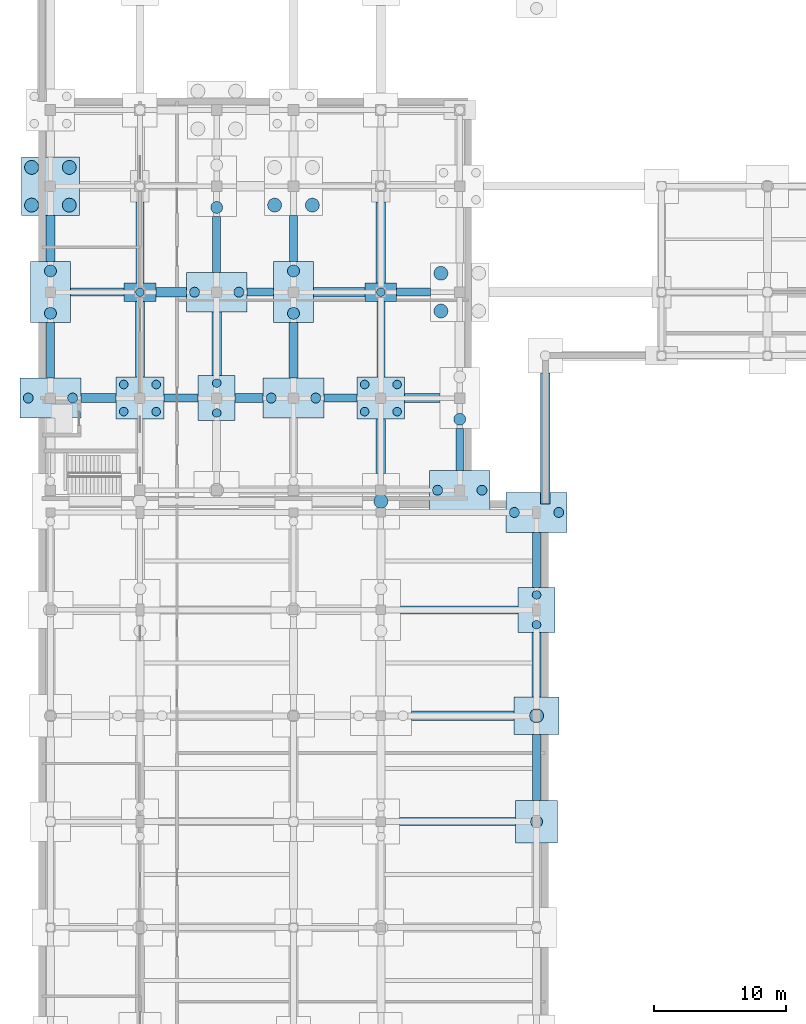
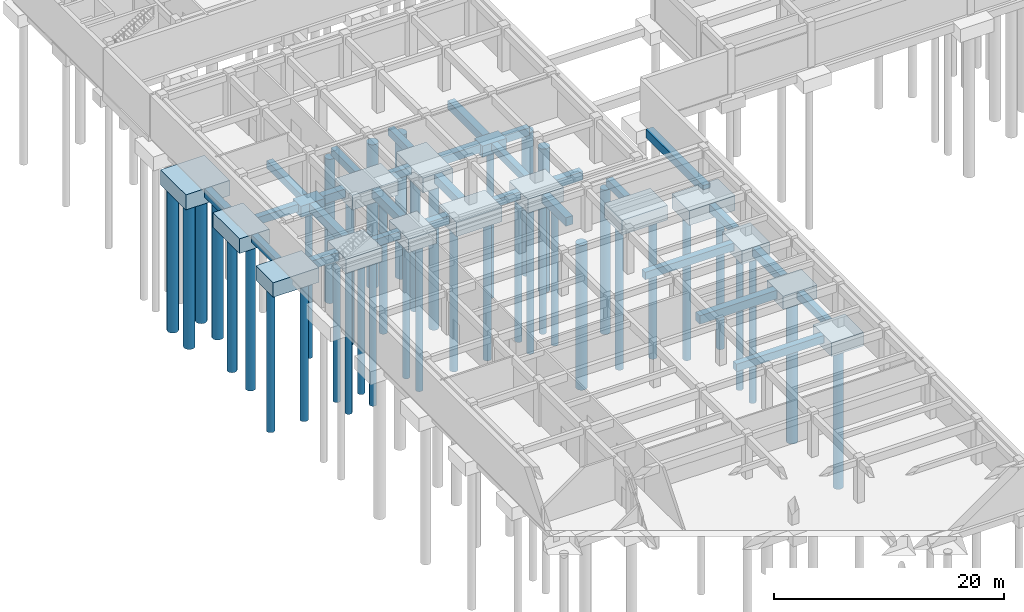
# One storey, part 3 of 35: 45 footings, 41 piles.
"""IFC4 building model written with IfcOpenShell, lengths in metres."""

from ifc_helpers import new_model, si_unit, direction, frame, origin, origin_2d, place, context, subcontext, project, spatial, polyline, rectangle, circle, outline, extrude, material, layer, layer_set, material_profile, profile_set, type_object, element, save


model = new_model("IFC4")

# Units and contexts
model_context = context("Model", 3, precision=1e-05, world=origin(), true_north=direction((0.0, 1.0)))
body_context = subcontext(model_context, "Body", "Model", "MODEL_VIEW")
ifc_project = project(units=[si_unit("LENGTHUNIT", "METRE"), si_unit("AREAUNIT", "SQUARE_METRE"), si_unit("VOLUMEUNIT", "CUBIC_METRE"), si_unit("PLANEANGLEUNIT", "RADIAN"), si_unit("MASSUNIT", "GRAM", prefix="KILO")], contexts=[model_context])

# Site, building, storey
site_placement = place(None, origin())
site = spatial("IfcSite", under=ifc_project, at=site_placement, CompositionType="ELEMENT")
building_placement = place(site_placement, origin())
building = spatial("IfcBuilding", under=site, at=building_placement, Name="Cinchona Park Media Centre", CompositionType="ELEMENT")
storey_placement = place(building_placement, frame((0.0, 0.0, -4.800048828125)))
storey = spatial("IfcBuildingStorey", under=building, at=storey_placement, Name="B1", CompositionType="ELEMENT", Elevation=-4.800048828125)

# Footings
ifc_material_1 = material(Name="Concrete C40/50", Category="concrete")
ifc_layer_1 = layer(ifc_material_1, 0.800048828125)
ifc_layer_set_1 = layer_set([ifc_layer_1], Name="Concrete C40/50")
footing_type_1 = type_object("IfcFootingType", Name="FTG-BEAM-FB01", PredefinedType="FOOTING_BEAM", material=ifc_layer_set_1)
footing_1_placement = place(storey_placement, frame((0.0, 0.0, -1.25)))
element("IfcFooting", 1, at=footing_1_placement, inside=storey, type_object=footing_type_1, Name="Ground Tie Beam FB01", PredefinedType="FOOTING_BEAM", context=body_context, shape_type="SweptSolid", body=[
    extrude(outline(polyline([(35.0, 39.300048828125), (43.760009765625, 39.300048828125), (43.760009765625, 39.89990234375), (35.0, 39.89990234375), (35.0, 39.300048828125)])), origin(), (0.0, 0.0, 1.0), 0.800048828125),
])
footing_2_placement = place(storey_placement, frame((0.0, 0.0, -1.25)))
element("IfcFooting", 2, at=footing_2_placement, inside=storey, type_object=footing_type_1, Name="Ground Tie Beam FB01", PredefinedType="FOOTING_BEAM", context=body_context, shape_type="SweptSolid", body=[
    extrude(outline(polyline([(35.10009765625, 55.300048828125), (43.9599609375, 55.300048828125), (43.9599609375, 55.89990234375), (35.10009765625, 55.89990234375), (35.10009765625, 55.300048828125)])), origin(), (0.0, 0.0, 1.0), 0.800048828125),
])
footing_3_placement = place(storey_placement, frame((0.0, 0.0, -1.25)))
element("IfcFooting", 3, at=footing_3_placement, inside=storey, type_object=footing_type_1, Name="Ground Tie Beam FB01", PredefinedType="FOOTING_BEAM", context=body_context, shape_type="SweptSolid", body=[
    extrude(outline(polyline([(17.199951171875, 71.300048828125), (19.800048828125, 71.300048828125), (19.800048828125, 71.89990234375), (17.199951171875, 71.89990234375), (17.199951171875, 71.300048828125)])), origin(), (0.0, 0.0, 1.0), 0.800048828125),
])
footing_4_placement = place(storey_placement, frame((0.0, 0.0, -1.25)))
element("IfcFooting", 4, at=footing_4_placement, inside=storey, type_object=footing_type_1, Name="Ground Tie Beam FB01", PredefinedType="FOOTING_BEAM", context=body_context, shape_type="SweptSolid", body=[
    extrude(outline(polyline([(29.300048828125, 71.300048828125), (31.800048828125, 71.300048828125), (31.800048828125, 71.89990234375), (29.300048828125, 71.89990234375), (29.300048828125, 71.300048828125)])), origin(), (0.0, 0.0, 1.0), 0.800048828125),
])
footing_5_placement = place(storey_placement, frame((0.0, 0.0, -1.25)))
element("IfcFooting", 5, at=footing_5_placement, inside=storey, type_object=footing_type_1, Name="Ground Tie Beam FB01", PredefinedType="FOOTING_BEAM", context=body_context, shape_type="SweptSolid", body=[
    extrude(outline(polyline([(10.139892578125, 79.300048828125), (14.199951171875, 79.300048828125), (14.199951171875, 79.89990234375), (10.139892578125, 79.89990234375), (10.139892578125, 79.300048828125)])), origin(), (0.0, 0.0, 1.0), 0.800048828125),
])
footing_6_placement = place(storey_placement, frame((0.0, 0.0, -1.25)))
element("IfcFooting", 6, at=footing_6_placement, inside=storey, type_object=footing_type_1, Name="Ground Tie Beam FB01", PredefinedType="FOOTING_BEAM", context=body_context, shape_type="SweptSolid", body=[
    extrude(outline(polyline([(23.5, 79.300048828125), (25.5, 79.300048828125), (25.5, 79.89990234375), (23.5, 79.89990234375), (23.5, 79.300048828125)])), origin(), (0.0, 0.0, 1.0), 0.800048828125),
])
footing_7_placement = place(storey_placement, frame((0.0, 0.0, -1.25)))
element("IfcFooting", 7, at=footing_7_placement, inside=storey, type_object=footing_type_1, Name="Ground Tie Beam FB01", PredefinedType="FOOTING_BEAM", context=body_context, shape_type="SweptSolid", body=[
    extrude(outline(polyline([(34.800048828125, 79.300048828125), (37.360107421875, 79.300048828125), (37.360107421875, 79.89990234375), (34.800048828125, 79.89990234375), (34.800048828125, 79.300048828125)])), origin(), (0.0, 0.0, 1.0), 0.800048828125),
])
footing_8_placement = place(storey_placement, frame((0.0, 0.0, -1.25)))
element("IfcFooting", 8, at=footing_8_placement, inside=storey, type_object=footing_type_1, Name="Ground Tie Beam FB01", PredefinedType="FOOTING_BEAM", context=body_context, shape_type="SweptSolid", body=[
    extrude(outline(polyline([(8.340087890625, 73.10009765625), (8.93994140625, 73.10009765625), (8.93994140625, 77.300048828125), (8.340087890625, 77.300048828125), (8.340087890625, 73.10009765625)])), origin(), (0.0, 0.0, 1.0), 0.800048828125),
])
footing_9_placement = place(storey_placement, frame((0.0, 0.0, -1.25)))
element("IfcFooting", 9, at=footing_9_placement, inside=storey, type_object=footing_type_1, Name="Ground Tie Beam FB01", PredefinedType="FOOTING_BEAM", context=body_context, shape_type="SweptSolid", body=[
    extrude(outline(polyline([(15.10009765625, 80.300048828125), (15.699951171875, 80.300048828125), (15.699951171875, 86.39990234375), (15.10009765625, 86.39990234375), (15.10009765625, 80.300048828125)])), origin(), (0.0, 0.0, 1.0), 0.800048828125),
])
footing_10_placement = place(storey_placement, frame((0.0, 0.0, -1.25)))
element("IfcFooting", 10, at=footing_10_placement, inside=storey, type_object=footing_type_1, Name="Ground Tie Beam FB01", PredefinedType="FOOTING_BEAM", context=body_context, shape_type="SweptSolid", body=[
    extrude(outline(polyline([(20.89990234375, 81.10009765625), (21.5, 81.10009765625), (21.5, 85.300048828125), (20.89990234375, 85.300048828125), (20.89990234375, 81.10009765625)])), origin(), (0.0, 0.0, 1.0), 0.800048828125),
])
footing_11_placement = place(storey_placement, frame((0.0, 0.0, -1.25)))
element("IfcFooting", 11, at=footing_11_placement, inside=storey, type_object=footing_type_1, Name="Ground Tie Beam FB01", PredefinedType="FOOTING_BEAM", context=body_context, shape_type="SweptSolid", body=[
    extrude(outline(polyline([(26.699951171875, 81.89990234375), (27.300048828125, 81.89990234375), (27.300048828125, 85.39990234375), (26.699951171875, 85.39990234375), (26.699951171875, 81.89990234375)])), origin(), (0.0, 0.0, 1.0), 0.800048828125),
])
footing_12_placement = place(storey_placement, frame((0.0, 0.0, -1.25)))
element("IfcFooting", 12, at=footing_12_placement, inside=storey, type_object=footing_type_1, Name="Ground Tie Beam FB01", PredefinedType="FOOTING_BEAM", context=body_context, shape_type="SweptSolid", body=[
    extrude(outline(polyline([(33.300048828125, 73.199951171875), (33.89990234375, 73.199951171875), (33.89990234375, 78.89990234375), (33.300048828125, 78.89990234375), (33.300048828125, 73.199951171875)])), origin(), (0.0, 0.0, 1.0), 0.800048828125),
])
footing_13_placement = place(storey_placement, frame((0.0, 0.0, -1.25)))
element("IfcFooting", 13, at=footing_13_placement, inside=storey, type_object=footing_type_1, Name="Ground Tie Beam FB01", PredefinedType="FOOTING_BEAM", context=body_context, shape_type="SweptSolid", body=[
    extrude(outline(polyline([(39.260009765625, 66.139892578125), (39.860107421875, 66.139892578125), (39.860107421875, 69.300048828125), (39.260009765625, 69.300048828125), (39.260009765625, 66.139892578125)])), origin(), (0.0, 0.0, 1.0), 0.800048828125),
])
footing_14_placement = place(storey_placement, frame((0.0, 0.0, -1.25)))
element("IfcFooting", 14, at=footing_14_placement, inside=storey, type_object=footing_type_1, Name="Ground Tie Beam FB01", PredefinedType="FOOTING_BEAM", context=body_context, shape_type="SweptSolid", body=[
    extrude(outline(polyline([(45.06005859375, 41.199951171875), (45.659912109375, 41.199951171875), (45.659912109375, 46.199951171875), (45.06005859375, 46.199951171875), (45.06005859375, 41.199951171875)])), origin(), (0.0, 0.0, 1.0), 0.800048828125),
])
footing_15_placement = place(storey_placement, frame((0.0, 0.0, -1.25)))
element("IfcFooting", 15, at=footing_15_placement, inside=storey, type_object=footing_type_1, Name="Ground Tie Beam FB01", PredefinedType="FOOTING_BEAM", context=body_context, shape_type="SweptSolid", body=[
    extrude(outline(polyline([(45.06005859375, 57.300048828125), (45.659912109375, 57.300048828125), (45.659912109375, 61.4599609375), (45.06005859375, 61.4599609375), (45.06005859375, 57.300048828125)])), origin(), (0.0, 0.0, 1.0), 0.800048828125),
])
ifc_material_2 = material(Name="Concrete C40/50", Category="concrete")
ifc_layer_2 = layer(ifc_material_2, 0.89990234375)
ifc_layer_set_2 = layer_set([ifc_layer_2], Name="Concrete C40/50")
footing_type_2 = type_object("IfcFootingType", Name="FTG-BEAM-FB02", PredefinedType="FOOTING_BEAM", material=ifc_layer_set_2)
footing_16_placement = place(storey_placement, frame((0.0, 0.0, -1.349853515625)))
element("IfcFooting", 16, at=footing_16_placement, inside=storey, type_object=footing_type_2, Name="Ground Tie Beam FB02", PredefinedType="FOOTING_BEAM", context=body_context, shape_type="SweptSolid", body=[
    extrude(outline(polyline([(35.89990234375, 47.25), (43.659912109375, 47.25), (43.659912109375, 47.949951171875), (35.89990234375, 47.949951171875), (35.89990234375, 47.25)])), origin(), (0.0, 0.0, 1.0), 0.89990234375),
])
footing_17_placement = place(storey_placement, frame((0.0, 0.0, -1.349853515625)))
element("IfcFooting", 17, at=footing_17_placement, inside=storey, type_object=footing_type_2, Name="Ground Tie Beam FB02", PredefinedType="FOOTING_BEAM", context=body_context, shape_type="SweptSolid", body=[
    extrude(outline(polyline([(10.93994140625, 71.25), (13.60009765625, 71.25), (13.60009765625, 71.949951171875), (10.93994140625, 71.949951171875), (10.93994140625, 71.25)])), origin(), (0.0, 0.0, 1.0), 0.89990234375),
])
footing_18_placement = place(storey_placement, frame((0.0, 0.0, -1.349853515625)))
element("IfcFooting", 18, at=footing_18_placement, inside=storey, type_object=footing_type_2, Name="Ground Tie Beam FB02", PredefinedType="FOOTING_BEAM", context=body_context, shape_type="SweptSolid", body=[
    extrude(outline(polyline([(22.60009765625, 71.25), (24.699951171875, 71.25), (24.699951171875, 71.949951171875), (22.60009765625, 71.949951171875), (22.60009765625, 71.25)])), origin(), (0.0, 0.0, 1.0), 0.89990234375),
])
footing_19_placement = place(storey_placement, frame((0.0, 0.0, -1.349853515625)))
element("IfcFooting", 19, at=footing_19_placement, inside=storey, type_object=footing_type_2, Name="Ground Tie Beam FB02", PredefinedType="FOOTING_BEAM", context=body_context, shape_type="SweptSolid", body=[
    extrude(outline(polyline([(35.39990234375, 71.25), (38.06005859375, 71.25), (38.06005859375, 71.949951171875), (35.39990234375, 71.949951171875), (35.39990234375, 71.25)])), origin(), (0.0, 0.0, 1.0), 0.89990234375),
])
footing_20_placement = place(storey_placement, frame((0.0, 0.0, -1.349853515625)))
element("IfcFooting", 20, at=footing_20_placement, inside=storey, type_object=footing_type_2, Name="Ground Tie Beam FB02", PredefinedType="FOOTING_BEAM", context=body_context, shape_type="SweptSolid", body=[
    extrude(outline(polyline([(16.60009765625, 79.25), (18.89990234375, 79.25), (18.89990234375, 79.949951171875), (16.60009765625, 79.949951171875), (16.60009765625, 79.25)])), origin(), (0.0, 0.0, 1.0), 0.89990234375),
])
footing_21_placement = place(storey_placement, frame((0.0, 0.0, -1.349853515625)))
element("IfcFooting", 21, at=footing_21_placement, inside=storey, type_object=footing_type_2, Name="Ground Tie Beam FB02", PredefinedType="FOOTING_BEAM", context=body_context, shape_type="SweptSolid", body=[
    extrude(outline(polyline([(28.5, 79.25), (32.39990234375, 79.25), (32.39990234375, 79.949951171875), (28.5, 79.949951171875), (28.5, 79.25)])), origin(), (0.0, 0.0, 1.0), 0.89990234375),
])
footing_22_placement = place(storey_placement, frame((0.0, 0.0, -1.349853515625)))
element("IfcFooting", 22, at=footing_22_placement, inside=storey, type_object=footing_type_2, Name="Ground Tie Beam FB02", PredefinedType="FOOTING_BEAM", context=body_context, shape_type="SweptSolid", body=[
    extrude(outline(polyline([(8.2900390625, 81.89990234375), (8.989990234375, 81.89990234375), (8.989990234375, 85.39990234375), (8.2900390625, 85.39990234375), (8.2900390625, 81.89990234375)])), origin(), (0.0, 0.0, 1.0), 0.89990234375),
])
footing_23_placement = place(storey_placement, frame((0.0, 0.0, -1.349853515625)))
element("IfcFooting", 23, at=footing_23_placement, inside=storey, type_object=footing_type_2, Name="Ground Tie Beam FB02", PredefinedType="FOOTING_BEAM", context=body_context, shape_type="SweptSolid", body=[
    extrude(outline(polyline([(15.050048828125, 73.199951171875), (15.75, 73.199951171875), (15.75, 78.89990234375), (15.050048828125, 78.89990234375), (15.050048828125, 73.199951171875)])), origin(), (0.0, 0.0, 1.0), 0.89990234375),
])
footing_24_placement = place(storey_placement, frame((0.0, 0.0, -1.349853515625)))
element("IfcFooting", 24, at=footing_24_placement, inside=storey, type_object=footing_type_2, Name="Ground Tie Beam FB02", PredefinedType="FOOTING_BEAM", context=body_context, shape_type="SweptSolid", body=[
    extrude(outline(polyline([(20.85009765625, 73.300048828125), (21.550048828125, 73.300048828125), (21.550048828125, 78.10009765625), (20.85009765625, 78.10009765625), (20.85009765625, 73.300048828125)])), origin(), (0.0, 0.0, 1.0), 0.89990234375),
])
footing_25_placement = place(storey_placement, frame((0.0, 0.0, -1.349853515625)))
element("IfcFooting", 25, at=footing_25_placement, inside=storey, type_object=footing_type_2, Name="Ground Tie Beam FB02", PredefinedType="FOOTING_BEAM", context=body_context, shape_type="SweptSolid", body=[
    extrude(outline(polyline([(26.64990234375, 73.10009765625), (27.35009765625, 73.10009765625), (27.35009765625, 77.300048828125), (26.64990234375, 77.300048828125), (26.64990234375, 73.10009765625)])), origin(), (0.0, 0.0, 1.0), 0.89990234375),
])
footing_26_placement = place(storey_placement, frame((0.0, 0.0, -1.349853515625)))
element("IfcFooting", 26, at=footing_26_placement, inside=storey, type_object=footing_type_2, Name="Ground Tie Beam FB02", PredefinedType="FOOTING_BEAM", context=body_context, shape_type="SweptSolid", body=[
    extrude(outline(polyline([(33.25, 65.89990234375), (33.949951171875, 65.89990234375), (33.949951171875, 70.0), (33.25, 70.0), (33.25, 65.89990234375)])), origin(), (0.0, 0.0, 1.0), 0.89990234375),
])
footing_27_placement = place(storey_placement, frame((0.0, 0.0, -1.349853515625)))
element("IfcFooting", 27, at=footing_27_placement, inside=storey, type_object=footing_type_2, Name="Ground Tie Beam FB02", PredefinedType="FOOTING_BEAM", context=body_context, shape_type="SweptSolid", body=[
    extrude(outline(polyline([(33.25, 80.300048828125), (33.949951171875, 80.300048828125), (33.949951171875, 86.39990234375), (33.25, 86.39990234375), (33.25, 80.300048828125)])), origin(), (0.0, 0.0, 1.0), 0.89990234375),
])
footing_28_placement = place(storey_placement, frame((0.0, 0.0, -1.349853515625)))
element("IfcFooting", 28, at=footing_28_placement, inside=storey, type_object=footing_type_2, Name="Ground Tie Beam FB02", PredefinedType="FOOTING_BEAM", context=body_context, shape_type="SweptSolid", body=[
    extrude(outline(polyline([(45.010009765625, 49.0), (45.7099609375, 49.0), (45.7099609375, 53.89990234375), (45.010009765625, 53.89990234375), (45.010009765625, 49.0)])), origin(), (0.0, 0.0, 1.0), 0.89990234375),
])
footing_29_placement = place(storey_placement, frame((0.0, 0.0, -0.89990234375)))
element("IfcFooting", 29, at=footing_29_placement, inside=storey, type_object=footing_type_2, Name="Ground Tie Beam FB02", PredefinedType="FOOTING_BEAM", context=body_context, shape_type="SweptSolid", body=[
    extrude(outline(polyline([(45.669921875, 63.610107421875), (46.3701171875, 63.610107421875), (46.3701171875, 73.5), (45.669921875, 73.5), (45.669921875, 63.610107421875)])), origin(), (0.0, 0.0, 1.0), 0.89990234375),
])

# Piles
ifc_material_3 = material(Name="Concrete C40/50", Category="concrete")
ifc_material_profile_1 = material_profile(ifc_material_3, circle(Radius=0.52490234375, at=origin_2d()), Name="BORED PILE 1050")
ifc_profile_set_1 = profile_set([ifc_material_profile_1], Name="Concrete C40/50")
pile_type_1 = type_object("IfcPileType", Name="PILE-BP1050", PredefinedType="BORED", material=ifc_profile_set_1)
for number, where, z_axis, x_axis, name in (
    (30, (7.215087890625, 86.175048828125, -1.949951171875), (0.0, 0.0, -1.0), (1.0, 0.0, 0.0), "Bored Pile P1050"),
    (31, (7.215087890625, 89.02490234375, -1.949951171875), (0.0, 0.0, -1.0), (1.0, 0.0, 0.0), "Bored Pile P1050"),
    (32, (10.06494140625, 86.175048828125, -1.949951171875), (0.0, 0.0, -1.0), (1.0, 0.0, 0.0), "Bored Pile P1050"),
    (33, (10.06494140625, 89.02490234375, -1.949951171875), (0.0, 0.0, -1.0), (1.0, 0.0, 0.0), "Bored Pile P1050"),
    (34, (25.574951171875, 86.175048828125, -1.949951171875), (0.0, 0.0, -1.0), (1.0, 0.0, 0.0), "Bored Pile P1050"),
    (35, (28.425048828125, 86.175048828125, -1.949951171875), (0.0, 0.0, -1.0), (1.0, 0.0, 0.0), "Bored Pile P1050"),
):
    element("IfcPile", number, at=place(storey_placement, frame(where, z_axis=z_axis, x_axis=x_axis)), inside=storey, type_object=pile_type_1, Name=name, PredefinedType="BORED", context=body_context, shape_type="SweptSolid", body=[
        extrude(circle(Radius=0.52490234375, at=origin_2d()), origin(), (0.0, 0.0, 1.0), 15.25),
    ])
pile_1_placement = place(storey_placement, frame((33.60009765625, 63.800048828125, -1.849853515625), z_axis=(0.0, 0.0, -1.0), x_axis=(1.0, 0.0, 0.0)))
element("IfcPile", 36, at=pile_1_placement, inside=storey, type_object=pile_type_1, Name="Bored Pile P1050", PredefinedType="BORED", context=body_context, shape_type="SweptSolid", body=[
    extrude(circle(Radius=0.52490234375, at=origin_2d()), origin(), (0.0, 0.0, 1.0), 15.35009765625),
])
for number, where, z_axis, x_axis, name in (
    (37, (38.135009765625, 78.175048828125, -1.949951171875), (0.0, 0.0, -1.0), (1.0, 0.0, 0.0), "Bored Pile P1050"),
    (38, (38.135009765625, 81.02490234375, -1.949951171875), (0.0, 0.0, -1.0), (1.0, 0.0, 0.0), "Bored Pile P1050"),
):
    element("IfcPile", number, at=place(storey_placement, frame(where, z_axis=z_axis, x_axis=x_axis)), inside=storey, type_object=pile_type_1, Name=name, PredefinedType="BORED", context=body_context, shape_type="SweptSolid", body=[
        extrude(circle(Radius=0.52490234375, at=origin_2d()), origin(), (0.0, 0.0, 1.0), 15.25),
    ])
pile_2_placement = place(storey_placement, frame((45.360107421875, 47.60009765625, -1.75), z_axis=(0.0, 0.0, -1.0), x_axis=(1.0, 0.0, 0.0)))
element("IfcPile", 39, at=pile_2_placement, inside=storey, type_object=pile_type_1, Name="Bored Pile P1050", PredefinedType="BORED", context=body_context, shape_type="SweptSolid", body=[
    extrude(circle(Radius=0.52490234375, at=origin_2d()), origin(), (0.0, 0.0, 1.0), 15.449951171875),
])
ifc_material_4 = material(Name="Concrete C40/50", Category="concrete")
ifc_material_profile_2 = material_profile(ifc_material_4, circle(Radius=0.324951171875, at=origin_2d()), Name="BORED PILE 650")
ifc_profile_set_2 = profile_set([ifc_material_profile_2], Name="Concrete C40/50")
pile_type_2 = type_object("IfcPileType", Name="PILE-BP650", PredefinedType="BORED", material=ifc_profile_set_2)
for number, where, z_axis, x_axis, name in (
    (40, (14.175048828125, 70.574951171875, -1.829833984375), (0.0, 0.0, -1.0), (1.0, 0.0, 0.0), "Bored Pile P650"),
    (41, (14.175048828125, 72.625, -1.829833984375), (0.0, 0.0, -1.0), (1.0, 0.0, 0.0), "Bored Pile P650"),
    (42, (16.625, 70.574951171875, -1.829833984375), (0.0, 0.0, -1.0), (1.0, 0.0, 0.0), "Bored Pile P650"),
    (43, (16.625, 72.625, -1.829833984375), (0.0, 0.0, -1.0), (1.0, 0.0, 0.0), "Bored Pile P650"),
):
    element("IfcPile", number, at=place(storey_placement, frame(where, z_axis=z_axis, x_axis=x_axis)), inside=storey, type_object=pile_type_2, Name=name, PredefinedType="BORED", context=body_context, shape_type="SweptSolid", body=[
        extrude(circle(Radius=0.324951171875, at=origin_2d()), origin(), (0.0, 0.0, 1.0), 15.3701171875),
    ])
pile_3_placement = place(storey_placement, frame((15.39990234375, 79.60009765625, -1.550048828125), z_axis=(0.0, 0.0, -1.0), x_axis=(1.0, 0.0, 0.0)))
element("IfcPile", 44, at=pile_3_placement, inside=storey, type_object=pile_type_2, Name="Bored Pile P650", PredefinedType="BORED", context=body_context, shape_type="SweptSolid", body=[
    extrude(circle(Radius=0.324951171875, at=origin_2d()), origin(), (0.0, 0.0, 1.0), 15.64990234375),
])
for number, where, z_axis, x_axis, name in (
    (45, (21.199951171875, 70.47509765625, -1.75), (0.0, 0.0, -1.0), (1.0, 0.0, 0.0), "Bored Pile P650"),
    (46, (21.199951171875, 72.72509765625, -1.75), (0.0, 0.0, -1.0), (1.0, 0.0, 0.0), "Bored Pile P650"),
):
    element("IfcPile", number, at=place(storey_placement, frame(where, z_axis=z_axis, x_axis=x_axis)), inside=storey, type_object=pile_type_2, Name=name, PredefinedType="BORED", context=body_context, shape_type="SweptSolid", body=[
        extrude(circle(Radius=0.324951171875, at=origin_2d()), origin(), (0.0, 0.0, 1.0), 15.449951171875),
    ])
for number, where, z_axis, x_axis, name in (
    (47, (32.375, 70.574951171875, -1.829833984375), (0.0, 0.0, -1.0), (1.0, 0.0, 0.0), "Bored Pile P650"),
    (48, (32.375, 72.625, -1.829833984375), (0.0, 0.0, -1.0), (1.0, 0.0, 0.0), "Bored Pile P650"),
    (49, (34.824951171875, 70.574951171875, -1.829833984375), (0.0, 0.0, -1.0), (1.0, 0.0, 0.0), "Bored Pile P650"),
    (50, (34.824951171875, 72.625, -1.829833984375), (0.0, 0.0, -1.0), (1.0, 0.0, 0.0), "Bored Pile P650"),
):
    element("IfcPile", number, at=place(storey_placement, frame(where, z_axis=z_axis, x_axis=x_axis)), inside=storey, type_object=pile_type_2, Name=name, PredefinedType="BORED", context=body_context, shape_type="SweptSolid", body=[
        extrude(circle(Radius=0.324951171875, at=origin_2d()), origin(), (0.0, 0.0, 1.0), 15.3701171875),
    ])
pile_4_placement = place(storey_placement, frame((33.60009765625, 79.60009765625, -1.550048828125), z_axis=(0.0, 0.0, -1.0), x_axis=(1.0, 0.0, 0.0)))
element("IfcPile", 51, at=pile_4_placement, inside=storey, type_object=pile_type_2, Name="Bored Pile P650", PredefinedType="BORED", context=body_context, shape_type="SweptSolid", body=[
    extrude(circle(Radius=0.324951171875, at=origin_2d()), origin(), (0.0, 0.0, 1.0), 15.64990234375),
])
for number, where, z_axis, x_axis, name in (
    (52, (45.360107421875, 54.47509765625, -1.75), (0.0, 0.0, -1.0), (1.0, 0.0, 0.0), "Bored Pile P650"),
    (53, (45.360107421875, 56.72509765625, -1.75), (0.0, 0.0, -1.0), (1.0, 0.0, 0.0), "Bored Pile P650"),
):
    element("IfcPile", number, at=place(storey_placement, frame(where, z_axis=z_axis, x_axis=x_axis)), inside=storey, type_object=pile_type_2, Name=name, PredefinedType="BORED", context=body_context, shape_type="SweptSolid", body=[
        extrude(circle(Radius=0.324951171875, at=origin_2d()), origin(), (0.0, 0.0, 1.0), 15.449951171875),
    ])
ifc_material_5 = material(Name="Concrete C40/50", Category="concrete")
ifc_material_profile_3 = material_profile(ifc_material_5, circle(Radius=0.375, at=origin_2d()), Name="BORED PILE 750")
ifc_profile_set_3 = profile_set([ifc_material_profile_3], Name="Concrete C40/50")
pile_type_3 = type_object("IfcPileType", Name="PILE-BP750", PredefinedType="BORED", material=ifc_profile_set_3)
for number, where, z_axis, x_axis, name in (
    (54, (6.965087890625, 71.60009765625, -1.89990234375), (0.0, 0.0, -1.0), (1.0, 0.0, 0.0), "Bored Pile P750"),
    (55, (10.31494140625, 71.60009765625, -1.89990234375), (0.0, 0.0, -1.0), (1.0, 0.0, 0.0), "Bored Pile P750"),
    (56, (19.52490234375, 79.60009765625, -1.89990234375), (0.0, 0.0, -1.0), (1.0, 0.0, 0.0), "Bored Pile P750"),
    (57, (22.875, 79.60009765625, -1.89990234375), (0.0, 0.0, -1.0), (1.0, 0.0, 0.0), "Bored Pile P750"),
    (58, (25.324951171875, 71.60009765625, -1.89990234375), (0.0, 0.0, -1.0), (1.0, 0.0, 0.0), "Bored Pile P750"),
    (59, (28.675048828125, 71.60009765625, -1.89990234375), (0.0, 0.0, -1.0), (1.0, 0.0, 0.0), "Bored Pile P750"),
    (60, (37.885009765625, 64.639892578125, -1.89990234375), (0.0, 0.0, -1.0), (1.0, 0.0, 0.0), "Bored Pile P750"),
    (61, (41.235107421875, 64.639892578125, -1.89990234375), (0.0, 0.0, -1.0), (1.0, 0.0, 0.0), "Bored Pile P750"),
    (62, (43.68505859375, 62.9599609375, -1.89990234375), (0.0, 0.0, -1.0), (1.0, 0.0, 0.0), "Bored Pile P750"),
    (63, (47.034912109375, 62.9599609375, -1.89990234375), (0.0, 0.0, -1.0), (1.0, 0.0, 0.0), "Bored Pile P750"),
):
    element("IfcPile", number, at=place(storey_placement, frame(where, z_axis=z_axis, x_axis=x_axis)), inside=storey, type_object=pile_type_3, Name=name, PredefinedType="BORED", context=body_context, shape_type="SweptSolid", body=[
        extrude(circle(Radius=0.375, at=origin_2d()), origin(), (0.0, 0.0, 1.0), 15.300048828125),
    ])
ifc_material_6 = material(Name="Concrete C40/50", Category="concrete")
ifc_material_profile_4 = material_profile(ifc_material_6, circle(Radius=0.449951171875, at=origin_2d()), Name="BORED PILE 900")
ifc_profile_set_4 = profile_set([ifc_material_profile_4], Name="Concrete C40/50")
pile_type_4 = type_object("IfcPileType", Name="PILE-BP900", PredefinedType="BORED", material=ifc_profile_set_4)
for number, where, z_axis, x_axis, name in (
    (64, (8.639892578125, 78.0, -1.89990234375), (0.0, 0.0, -1.0), (1.0, 0.0, 0.0), "Bored Pile P900"),
    (65, (8.639892578125, 81.199951171875, -1.89990234375), (0.0, 0.0, -1.0), (1.0, 0.0, 0.0), "Bored Pile P900"),
    (66, (21.199951171875, 86.0, -1.89990234375), (0.0, 0.0, -1.0), (1.0, 0.0, 0.0), "Bored Pile P900"),
    (67, (27.0, 78.0, -1.89990234375), (0.0, 0.0, -1.0), (1.0, 0.0, 0.0), "Bored Pile P900"),
    (68, (27.0, 81.199951171875, -1.89990234375), (0.0, 0.0, -1.0), (1.0, 0.0, 0.0), "Bored Pile P900"),
    (69, (39.56005859375, 70.0, -1.89990234375), (0.0, 0.0, -1.0), (1.0, 0.0, 0.0), "Bored Pile P900"),
):
    element("IfcPile", number, at=place(storey_placement, frame(where, z_axis=z_axis, x_axis=x_axis)), inside=storey, type_object=pile_type_4, Name=name, PredefinedType="BORED", context=body_context, shape_type="SweptSolid", body=[
        extrude(circle(Radius=0.449951171875, at=origin_2d()), origin(), (0.0, 0.0, 1.0), 15.300048828125),
    ])
pile_5_placement = place(storey_placement, frame((45.360107421875, 39.60009765625, -1.800048828125), z_axis=(0.0, 0.0, -1.0), x_axis=(1.0, 0.0, 0.0)))
element("IfcPile", 70, at=pile_5_placement, inside=storey, type_object=pile_type_4, Name="Bored Pile P900", PredefinedType="BORED", context=body_context, shape_type="SweptSolid", body=[
    extrude(circle(Radius=0.449951171875, at=origin_2d()), origin(), (0.0, 0.0, 1.0), 15.39990234375),
])

# Footings
ifc_material_7 = material(Name="Concrete C40/50", Category="concrete")
ifc_layer_3 = layer(ifc_material_7, 1.199951171875)
ifc_layer_set_3 = layer_set([ifc_layer_3], Name="Concrete C40/50")
footing_type_3 = type_object("IfcFootingType", Name="PILE-CAP-PC01", PredefinedType="PILE_CAP", material=ifc_layer_set_3)
for number, where, z_axis, x_axis, name in (
    (71, (15.39990234375, 79.60009765625, -1.64990234375), (0.0, 0.0, 1.0), (1.0, 0.0, 0.0), "Pile Cap PC01"),
    (72, (33.60009765625, 79.60009765625, -1.64990234375), (0.0, 0.0, 1.0), (1.0, 0.0, 0.0), "Pile Cap PC01"),
):
    element("IfcFooting", number, at=place(storey_placement, frame(where, z_axis=z_axis, x_axis=x_axis)), inside=storey, type_object=footing_type_3, Name=name, PredefinedType="PILE_CAP", context=body_context, shape_type="SweptSolid", body=[
        extrude(rectangle(XDim=2.39990234375, YDim=1.39990234375, at=origin_2d()), origin(), (0.0, 0.0, 1.0), 1.199951171875),
    ])
ifc_material_8 = material(Name="Concrete C40/50", Category="concrete")
ifc_layer_4 = layer(ifc_material_8, 1.449951171875)
ifc_layer_set_4 = layer_set([ifc_layer_4], Name="Concrete C40/50")
footing_type_4 = type_object("IfcFootingType", Name="PILE-CAP-PC06", PredefinedType="PILE_CAP", material=ifc_layer_set_4)
footing_30_placement = place(storey_placement, frame((45.360107421875, 39.60009765625, -1.89990234375), z_axis=(0.0, 0.0, 1.0), x_axis=(1.0, 0.0, 0.0)))
element("IfcFooting", 73, at=footing_30_placement, inside=storey, type_object=footing_type_4, Name="Pile Cap PC06", PredefinedType="PILE_CAP", context=body_context, shape_type="SweptSolid", body=[
    extrude(rectangle(XDim=3.199951171875, YDim=3.199951171875, at=origin_2d()), origin(), (0.0, 0.0, 1.0), 1.449951171875),
])
ifc_material_9 = material(Name="Concrete C40/50", Category="concrete")
ifc_layer_5 = layer(ifc_material_9, 1.39990234375)
ifc_layer_set_5 = layer_set([ifc_layer_5], Name="Concrete C40/50")
footing_type_5 = type_object("IfcFootingType", Name="PILE-CAP-PC07", PredefinedType="PILE_CAP", material=ifc_layer_set_5)
footing_31_placement = place(storey_placement, frame((45.360107421875, 47.60009765625, -1.849853515625), z_axis=(0.0, 0.0, 1.0), x_axis=(1.0, 0.0, 0.0)))
element("IfcFooting", 74, at=footing_31_placement, inside=storey, type_object=footing_type_5, Name="Pile Cap PC07", PredefinedType="PILE_CAP", context=body_context, shape_type="SweptSolid", body=[
    extrude(rectangle(XDim=3.39990234375, YDim=2.800048828125, at=origin_2d()), origin(), (0.0, 0.0, 1.0), 1.39990234375),
])
ifc_material_10 = material(Name="Concrete C40/50", Category="concrete")
ifc_layer_6 = layer(ifc_material_10, 1.39990234375)
ifc_layer_set_6 = layer_set([ifc_layer_6], Name="Concrete C40/50")
footing_type_6 = type_object("IfcFootingType", Name="PILE-CAP-PC08", PredefinedType="PILE_CAP", material=ifc_layer_set_6)
for number, where, z_axis, x_axis, name in (
    (75, (21.199951171875, 71.60009765625, -1.849853515625), (0.0, 0.0, 1.0), (1.0, 0.0, 0.0), "Pile Cap PC08"),
    (76, (45.360107421875, 55.60009765625, -1.849853515625), (0.0, 0.0, 1.0), (1.0, 0.0, 0.0), "Pile Cap PC08"),
):
    element("IfcFooting", number, at=place(storey_placement, frame(where, z_axis=z_axis, x_axis=x_axis)), inside=storey, type_object=footing_type_6, Name=name, PredefinedType="PILE_CAP", context=body_context, shape_type="SweptSolid", body=[
        extrude(rectangle(XDim=2.800048828125, YDim=3.39990234375, at=origin_2d()), origin(), (0.0, 0.0, 1.0), 1.39990234375),
    ])
ifc_material_11 = material(Name="Concrete C40/50", Category="concrete")
ifc_layer_7 = layer(ifc_material_11, 1.550048828125)
ifc_layer_set_7 = layer_set([ifc_layer_7], Name="Concrete C40/50")
footing_type_7 = type_object("IfcFootingType", Name="PILE-CAP-PC11", PredefinedType="PILE_CAP", material=ifc_layer_set_7)
for number, where, z_axis, x_axis, name in (
    (77, (8.639892578125, 71.60009765625, -2.0), (0.0, 0.0, 1.0), (1.0, 0.0, 0.0), "Pile Cap PC11"),
    (78, (21.199951171875, 79.60009765625, -2.0), (0.0, 0.0, 1.0), (1.0, 0.0, 0.0), "Pile Cap PC11"),
    (79, (27.0, 71.60009765625, -2.0), (0.0, 0.0, 1.0), (1.0, 0.0, 0.0), "Pile Cap PC11"),
    (80, (39.56005859375, 64.639892578125, -2.0), (0.0, 0.0, 1.0), (1.0, 0.0, 0.0), "Pile Cap PC11"),
    (81, (45.360107421875, 62.9599609375, -2.0), (0.0, 0.0, 1.0), (1.0, 0.0, 0.0), "Pile Cap PC11"),
):
    element("IfcFooting", number, at=place(storey_placement, frame(where, z_axis=z_axis, x_axis=x_axis)), inside=storey, type_object=footing_type_7, Name=name, PredefinedType="PILE_CAP", context=body_context, shape_type="SweptSolid", body=[
        extrude(rectangle(XDim=4.60009765625, YDim=3.0, at=origin_2d()), origin(), (0.0, 0.0, 1.0), 1.550048828125),
    ])
ifc_material_12 = material(Name="Concrete C40/50", Category="concrete")
ifc_layer_8 = layer(ifc_material_12, 1.550048828125)
ifc_layer_set_8 = layer_set([ifc_layer_8], Name="Concrete C40/50")
footing_type_8 = type_object("IfcFootingType", Name="PILE-CAP-PC12", PredefinedType="PILE_CAP", material=ifc_layer_set_8)
for number, where, z_axis, x_axis, name in (
    (82, (8.639892578125, 79.60009765625, -2.0), (0.0, 0.0, 1.0), (1.0, 0.0, 0.0), "Pile Cap PC12"),
    (83, (27.0, 79.60009765625, -2.0), (0.0, 0.0, 1.0), (1.0, 0.0, 0.0), "Pile Cap PC12"),
):
    element("IfcFooting", number, at=place(storey_placement, frame(where, z_axis=z_axis, x_axis=x_axis)), inside=storey, type_object=footing_type_8, Name=name, PredefinedType="PILE_CAP", context=body_context, shape_type="SweptSolid", body=[
        extrude(rectangle(XDim=3.0, YDim=4.60009765625, at=origin_2d()), origin(), (0.0, 0.0, 1.0), 1.550048828125),
    ])
ifc_material_13 = material(Name="Concrete C40/50", Category="concrete")
ifc_layer_9 = layer(ifc_material_13, 1.60009765625)
ifc_layer_set_9 = layer_set([ifc_layer_9], Name="Concrete C40/50")
footing_type_9 = type_object("IfcFootingType", Name="PILE-CAP-PC13", PredefinedType="PILE_CAP", material=ifc_layer_set_9)
footing_32_placement = place(storey_placement, frame((8.639892578125, 87.60009765625, -2.050048828125), z_axis=(0.0, 0.0, 1.0), x_axis=(1.0, 0.0, 0.0)))
element("IfcFooting", 84, at=footing_32_placement, inside=storey, type_object=footing_type_9, Name="Pile Cap PC13", PredefinedType="PILE_CAP", context=body_context, shape_type="SweptSolid", body=[
    extrude(rectangle(XDim=4.39990234375, YDim=4.39990234375, at=origin_2d()), origin(), (0.0, 0.0, 1.0), 1.60009765625),
])
ifc_material_14 = material(Name="Concrete C40/50", Category="concrete")
ifc_layer_10 = layer(ifc_material_14, 1.47998046875)
ifc_layer_set_10 = layer_set([ifc_layer_10], Name="Concrete C40/50")
footing_type_10 = type_object("IfcFootingType", Name="PILE-CAP-PC15", PredefinedType="PILE_CAP", material=ifc_layer_set_10)
for number, where, z_axis, x_axis, name in (
    (85, (15.39990234375, 71.60009765625, -1.929931640625), (0.0, 0.0, 1.0), (1.0, 0.0, 0.0), "Pile Cap PC15"),
    (86, (33.60009765625, 71.60009765625, -1.929931640625), (0.0, 0.0, 1.0), (1.0, 0.0, 0.0), "Pile Cap PC15"),
):
    element("IfcFooting", number, at=place(storey_placement, frame(where, z_axis=z_axis, x_axis=x_axis)), inside=storey, type_object=footing_type_10, Name=name, PredefinedType="PILE_CAP", context=body_context, shape_type="SweptSolid", body=[
        extrude(rectangle(XDim=3.60009765625, YDim=3.199951171875, at=origin_2d()), origin(), (0.0, 0.0, 1.0), 1.47998046875),
    ])

save(model, "model.ifc")
